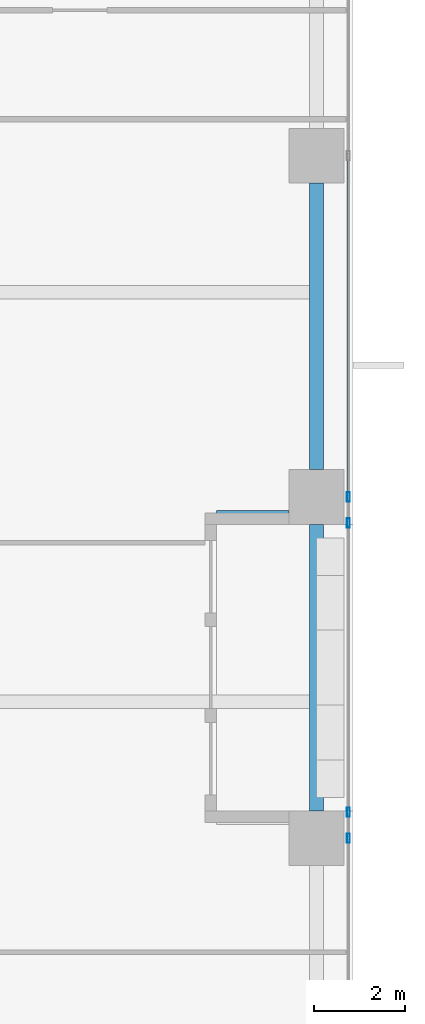
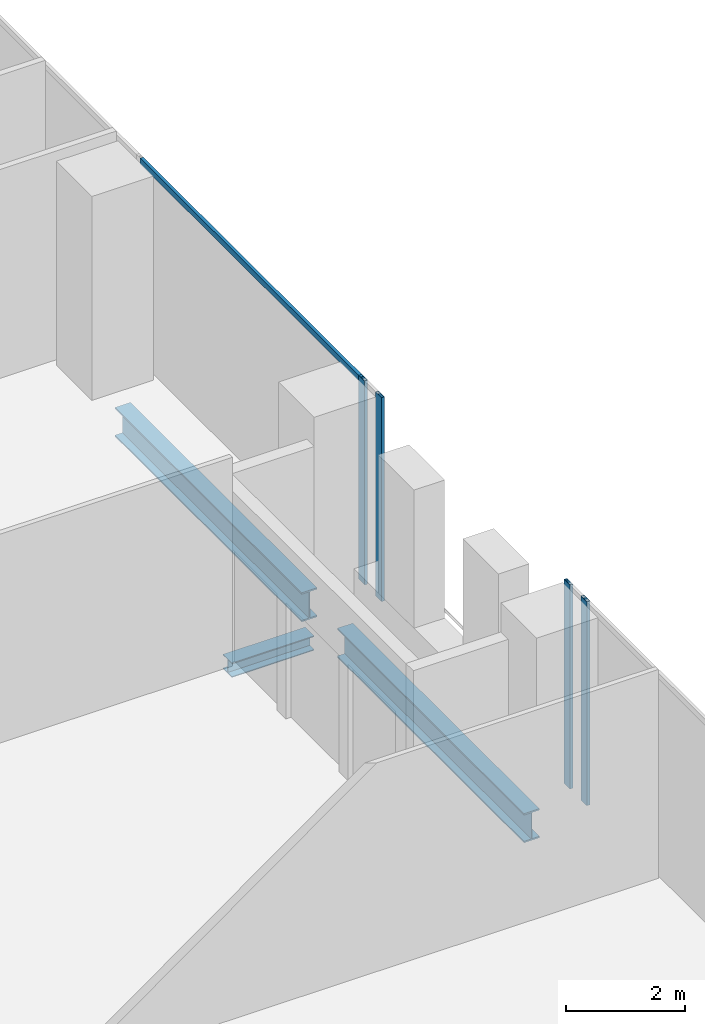
# One storey, part 11 of 32: 5 members, 3 beams, 2 elements without a shape of their own.
"""IFC4 building model written with IfcOpenShell, lengths in metres."""

from ifc_helpers import new_model, si_unit, direction, frame, origin, origin_2d, place, context, subcontext, project, spatial, hollow_rectangle, i_section, extrude, source, transform, mapped, material, material_profile, profile_set, type_object, element, aggregate, save


model = new_model("IFC4")

# Units and contexts
model_context = context("Model", 3, precision=1e-05, world=origin(), true_north=direction((0.0, 1.0)))
body_context = subcontext(model_context, "Body", "Model", "MODEL_VIEW")
ifc_project = project(units=[si_unit("LENGTHUNIT", "METRE"), si_unit("AREAUNIT", "SQUARE_METRE"), si_unit("VOLUMEUNIT", "CUBIC_METRE"), si_unit("PLANEANGLEUNIT", "RADIAN"), si_unit("MASSUNIT", "GRAM", prefix="KILO")], contexts=[model_context])

# Site, building, storey
site_placement = place(None, origin())
site = spatial("IfcSite", under=ifc_project, at=site_placement, CompositionType="ELEMENT")
building_placement = place(site_placement, origin())
building = spatial("IfcBuilding", under=site, at=building_placement, Name="Khomas Fold Tower", CompositionType="ELEMENT")
storey_placement = place(building_placement, frame((0.0, 0.0, 37.5)))
storey = spatial("IfcBuildingStorey", under=building, at=storey_placement, Name="L07", CompositionType="ELEMENT", Elevation=37.5)

# Beams
ifc_material_1 = material(Name="Steel S355", Category="steel")
ifc_material_profile_1 = material_profile(ifc_material_1, i_section(OverallWidth=0.300048828125, OverallDepth=0.60009765625, WebThickness=0.015380859375, FlangeThickness=0.030029296875, at=origin_2d()), Name="HE 600 B")
ifc_profile_set_1 = profile_set([ifc_material_profile_1], Name="Steel S355")
beam_type_1 = type_object("IfcBeamType", Name="HE 600 B spandrel SB1", PredefinedType="SPANDREL", material=ifc_profile_set_1)
shared_shape_1 = source(origin(), body_context, "Body", "SweptSolid", [
    extrude(i_section(OverallWidth=0.300048828125, OverallDepth=0.60009765625, WebThickness=0.015380859375, FlangeThickness=0.030029296875, at=origin_2d()), origin(), (0.0, 0.0, 1.0), 6.2998046875),
])
for number, where, z_axis, x_axis, name in (
    (1, (53.199951171875, 20.10009765625, -0.60009765625), (0.0, 1.0, 0.0), (-1.0, 0.0, 0.0), "SB1"),
    (2, (53.199951171875, 27.60009765625, -0.60009765625), (0.0, 1.0, 0.0), (-1.0, 0.0, 0.0), "SB1"),
):
    element("IfcBeam", number, at=place(storey_placement, frame(where, z_axis=z_axis, x_axis=x_axis)), inside=storey, type_object=beam_type_1, Name=name, PredefinedType="SPANDREL", context=body_context, shape_type="MappedRepresentation", body=[
        mapped(shared_shape_1, transform((0.0, 0.0, 0.0))),
    ])
ifc_material_2 = material(Name="Steel S355", Category="steel")
ifc_material_profile_2 = material_profile(ifc_material_2, i_section(OverallWidth=0.300048828125, OverallDepth=0.300048828125, WebThickness=0.010986328125, FlangeThickness=0.01904296875, at=origin_2d()), Name="HE 300 B")
ifc_profile_set_2 = profile_set([ifc_material_profile_2], Name="Steel S355")
beam_type_2 = type_object("IfcBeamType", Name="HE 300 B beam BB1", PredefinedType="BEAM", material=ifc_profile_set_2)
shared_shape_2 = source(origin(), body_context, "Body", "SweptSolid", [
    extrude(i_section(OverallWidth=0.300048828125, OverallDepth=0.300048828125, WebThickness=0.010986328125, FlangeThickness=0.01904296875, at=origin_2d()), origin(), (0.0, 0.0, 1.0), 1.60009765625),
])
beam_placement = place(storey_placement, frame((51.0, 26.550048828125, -0.449951171875), z_axis=(1.0, 0.0, 0.0), x_axis=(0.0, 1.0, 0.0)))
element("IfcBeam", 3, at=beam_placement, inside=storey, type_object=beam_type_2, Name="BB1", PredefinedType="BEAM", context=body_context, shape_type="MappedRepresentation", body=[
    mapped(shared_shape_2, transform((0.0, 0.0, 0.0))),
])

# Curtain wall, member
ifc_material_3 = material(Name="Aluminium framed double glazing", Category="aluminium")
curtain_wall_type = type_object("IfcCurtainWallType", Name="SK-Unitised clear-glass wall, growing floors CW1", PredefinedType="NOTDEFINED", material=ifc_material_3)
curtain_wall_1_placement = place(storey_placement, origin())
curtain_wall_1 = element("IfcCurtainWall", 4, at=curtain_wall_1_placement, inside=storey, type_object=curtain_wall_type, Name="CW1 run L07 03-1", PredefinedType="NOTDEFINED")
ifc_material_4 = material(Name="Aluminium", Category="aluminium")
ifc_material_profile_3 = material_profile(ifc_material_4, hollow_rectangle(XDim=0.06005859375, YDim=0.1201171875, WallThickness=0.00390625, at=origin_2d()), Name="SK-Unitised clear-glass wall, growing floors transom CW1-T")
ifc_profile_set_3 = profile_set([ifc_material_profile_3], Name="Aluminium")
member_type_1 = type_object("IfcMemberType", Name="SK-Unitised clear-glass wall, growing floors transom CW1-T", PredefinedType="USERDEFINED", material=ifc_profile_set_3)
shared_shape_3 = source(origin(), body_context, "Body", "SweptSolid", [
    extrude(hollow_rectangle(XDim=0.06005859375, YDim=0.1201171875, WallThickness=0.00390625, at=origin_2d()), origin(), (0.0, 0.0, 1.0), 7.43994140625),
])
member_1_placement = place(storey_placement, frame((53.89990234375, 27.030029296875, 4.139892578125), z_axis=(0.0, 1.0, 0.0), x_axis=(-1.0, 0.0, 0.0)))
member_1 = element("IfcMember", 5, at=member_1_placement, type_object=member_type_1, Name="CW1 transom 2", ObjectType="TRANSOM", PredefinedType="USERDEFINED", context=body_context, shape_type="MappedRepresentation", body=[
    mapped(shared_shape_3, transform((0.0, 0.0, 0.0))),
])

# Curtain wall, members
curtain_wall_2_placement = place(storey_placement, origin())
curtain_wall_2 = element("IfcCurtainWall", 6, at=curtain_wall_2_placement, inside=storey, type_object=curtain_wall_type, Name="CW1 run L07 03-0", PredefinedType="NOTDEFINED")
ifc_material_5 = material(Name="Aluminium", Category="aluminium")
ifc_material_profile_4 = material_profile(ifc_material_5, hollow_rectangle(XDim=0.06005859375, YDim=0.199951171875, WallThickness=0.00390625, at=origin_2d()), Name="SK-Unitised clear-glass wall, growing floors mullion CW1-M")
ifc_profile_set_4 = profile_set([ifc_material_profile_4], Name="Aluminium")
member_type_2 = type_object("IfcMemberType", Name="SK-Unitised clear-glass wall, growing floors mullion CW1-M", PredefinedType="MULLION", material=ifc_profile_set_4)
shared_shape_4 = source(origin(), body_context, "Body", "SweptSolid", [
    extrude(hollow_rectangle(XDim=0.06005859375, YDim=0.199951171875, WallThickness=0.00390625, at=origin_2d()), origin(), (0.0, 0.0, 1.0), 4.199951171875),
])
member_2_placement = place(storey_placement, frame((53.89990234375, 19.5, 0.0), z_axis=(0.0, 0.0, 1.0), x_axis=(-1.0, 0.0, 0.0)))
member_2 = element("IfcMember", 7, at=member_2_placement, type_object=member_type_2, Name="CW1 mullion 4", PredefinedType="MULLION", context=body_context, shape_type="MappedRepresentation", body=[
    mapped(shared_shape_4, transform((0.0, 0.0, 0.0))),
])
member_3_placement = place(storey_placement, frame((53.89990234375, 20.070068359375, 0.0), z_axis=(0.0, 0.0, 1.0), x_axis=(-1.0, 0.0, 0.0)))
member_3 = element("IfcMember", 8, at=member_3_placement, type_object=member_type_2, Name="CW1 mullion 5", PredefinedType="MULLION", context=body_context, shape_type="MappedRepresentation", body=[
    mapped(shared_shape_4, transform((0.0, 0.0, 0.0))),
])
aggregate(curtain_wall_2, [member_2, member_3])

# Member
member_4_placement = place(storey_placement, frame((53.89990234375, 26.429931640625, 0.0), z_axis=(0.0, 0.0, 1.0), x_axis=(-1.0, 0.0, 0.0)))
member_4 = element("IfcMember", 9, at=member_4_placement, type_object=member_type_2, Name="CW1 mullion 1", PredefinedType="MULLION", context=body_context, shape_type="MappedRepresentation", body=[
    mapped(shared_shape_4, transform((0.0, 0.0, 0.0))),
])

member_5_placement = place(storey_placement, frame((53.89990234375, 27.0, 0.0), z_axis=(0.0, 0.0, 1.0), x_axis=(-1.0, 0.0, 0.0)))
member_5 = element("IfcMember", 10, at=member_5_placement, type_object=member_type_2, Name="CW1 mullion 2", PredefinedType="MULLION", context=body_context, shape_type="MappedRepresentation", body=[
    mapped(shared_shape_4, transform((0.0, 0.0, 0.0))),
])

aggregate(curtain_wall_1, [member_4, member_5, member_1])

save(model, "model.ifc")
